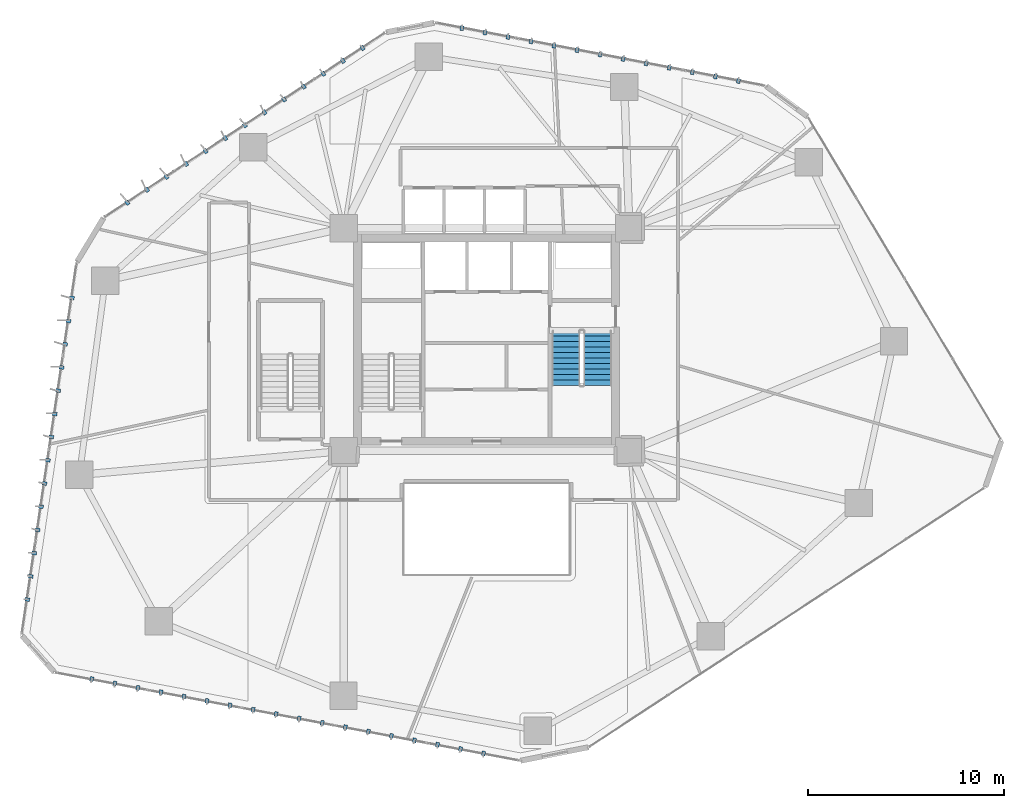
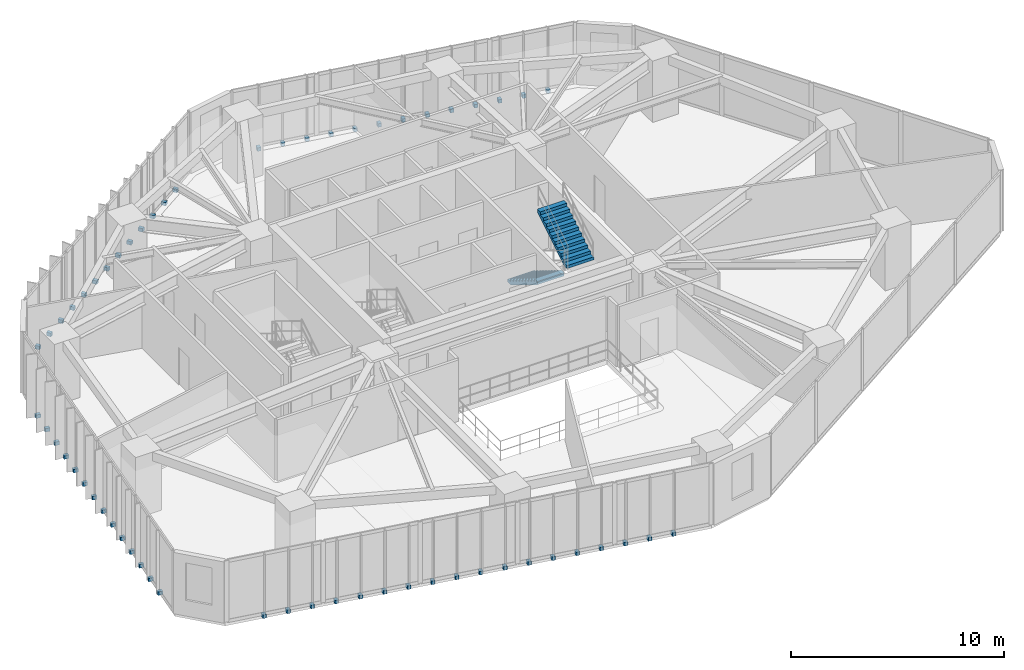
# One storey, part 18 of 20: 58 discrete accessories, 2 stair flights, 1 element without a shape of its own.
"""IFC4 building model written with IfcOpenShell, lengths in metres."""

from ifc_helpers import new_model, si_unit, direction, frame, origin, origin_2d, place, context, subcontext, project, spatial, polyline, rectangle, outline, extrude, source, transform, mapped, material, layer, layer_set, type_object, type_shapes, element, aggregate, save


model = new_model("IFC4")

# Units and contexts
model_context = context("Model", 3, precision=1e-05, world=origin(), true_north=direction((0.0, 1.0)))
body_context = subcontext(model_context, "Body", "Model", "MODEL_VIEW")
ifc_project = project(units=[si_unit("LENGTHUNIT", "METRE"), si_unit("AREAUNIT", "SQUARE_METRE"), si_unit("VOLUMEUNIT", "CUBIC_METRE"), si_unit("PLANEANGLEUNIT", "RADIAN"), si_unit("MASSUNIT", "GRAM", prefix="KILO")], contexts=[model_context])

# Site, building, storey
site_placement = place(None, origin())
site = spatial("IfcSite", under=ifc_project, at=site_placement, CompositionType="ELEMENT")
building_placement = place(site_placement, origin())
building = spatial("IfcBuilding", under=site, at=building_placement, Name="Talar Marvaseh", CompositionType="ELEMENT")
storey_placement = place(building_placement, frame((0.0, 0.0, 58.199951171875)))
storey = spatial("IfcBuildingStorey", under=building, at=storey_placement, Name="L14", CompositionType="ELEMENT", Elevation=58.199951171875)

# Stair, stair flights
ifc_material_1 = material(Name="Concrete C40/50", Category="concrete")
stair_type = type_object("IfcStairType", Name="Reinforced Concrete Half-Turn Exit Stair Type B", PredefinedType="HALF_TURN_STAIR", material=ifc_material_1)
stair_placement = place(storey_placement, origin())
stair = element("IfcStair", 1, at=stair_placement, inside=storey, type_object=stair_type, Name="L14 Tower East Core Exit Stair", PredefinedType="HALF_TURN_STAIR")
ifc_layer = layer(ifc_material_1, 0.159912109375)
ifc_layer_set = layer_set([ifc_layer], Name="Concrete C40/50")
stair_flight_type = type_object("IfcStairFlightType", Name="Reinforced Concrete Straight Stair Flight 160", PredefinedType="STRAIGHT", material=ifc_layer_set)
stair_flight_1_placement = place(storey_placement, frame((30.06494140625, 31.64990234375, 0.0), z_axis=(0.0, 0.0, 1.0), x_axis=(0.0, -1.0, 0.0)))
stair_flight_1 = element("IfcStairFlight", 2, at=stair_flight_1_placement, type_object=stair_flight_type, Name="ST-2 flight 1", NumberOfRisers=11, NumberOfTreads=10, PredefinedType="STRAIGHT", RiserHeight=0.172727273, TreadLength=0.28, context=body_context, shape_type="SweptSolid", body=[
    extrude(outline(polyline([(0.0, 0.0), (0.0, 0.172607421875), (0.280029296875, 0.172607421875), (0.280029296875, 0.345458984375), (0.56005859375, 0.345458984375), (0.56005859375, 0.51806640625), (0.840087890625, 0.51806640625), (0.840087890625, 0.69091796875), (1.1201171875, 0.69091796875), (1.1201171875, 0.863525390625), (1.39990234375, 0.863525390625), (1.39990234375, 1.036376953125), (1.679931640625, 1.036376953125), (1.679931640625, 1.208984375), (1.9599609375, 1.208984375), (1.9599609375, 1.3818359375), (2.239990234375, 1.3818359375), (2.239990234375, 1.554443359375), (2.52001953125, 1.554443359375), (2.52001953125, 1.727294921875), (2.800048828125, 1.727294921875), (2.800048828125, 1.89990234375), (2.800048828125, 1.539306640625), (0.3046875, 0.0), (0.0, 0.0)])), frame((0.0, 0.72509765625, 0.0), z_axis=(0.0, -1.0, 0.0), x_axis=(1.0, 0.0, 0.0)), (0.0, 0.0, 1.0), 1.449951171875),
])
stair_flight_2_placement = place(storey_placement, frame((31.675048828125, 28.85009765625, 1.900146484375), z_axis=(0.0, 0.0, 1.0), x_axis=(0.0, 1.0, 0.0)))
stair_flight_2 = element("IfcStairFlight", 3, at=stair_flight_2_placement, type_object=stair_flight_type, Name="ST-2 flight 2", NumberOfRisers=11, NumberOfTreads=10, PredefinedType="STRAIGHT", RiserHeight=0.172727273, TreadLength=0.28, context=body_context, shape_type="SweptSolid", body=[
    extrude(outline(polyline([(0.0, 0.0), (0.0, 0.172607421875), (0.280029296875, 0.172607421875), (0.280029296875, 0.345458984375), (0.56005859375, 0.345458984375), (0.56005859375, 0.51806640625), (0.840087890625, 0.51806640625), (0.840087890625, 0.69091796875), (1.1201171875, 0.69091796875), (1.1201171875, 0.863525390625), (1.39990234375, 0.863525390625), (1.39990234375, 1.036376953125), (1.679931640625, 1.036376953125), (1.679931640625, 1.208984375), (1.9599609375, 1.208984375), (1.9599609375, 1.3818359375), (2.239990234375, 1.3818359375), (2.239990234375, 1.554443359375), (2.52001953125, 1.554443359375), (2.52001953125, 1.727294921875), (2.800048828125, 1.727294921875), (2.800048828125, 1.89990234375), (2.800048828125, 1.539306640625), (0.3046875, 0.0), (0.0, 0.0)])), frame((0.0, 0.72509765625, 0.0), z_axis=(0.0, -1.0, 0.0), x_axis=(1.0, 0.0, 0.0)), (0.0, 0.0, 1.0), 1.449951171875),
])
aggregate(stair, [stair_flight_1, stair_flight_2])

# Discrete accessories
ifc_material_2 = material(Name="Stainless Steel Grade 316", Category="steel")
discrete_accessory_type = type_object("IfcDiscreteAccessoryType", Name="Stainless Slab-Edge Fin Mounting Bracket", PredefinedType="BRACKET", material=ifc_material_2)
shared_shape = source(origin(), body_context, "Body", "SweptSolid", [
    extrude(rectangle(XDim=0.239990234375, YDim=0.179931640625, at=origin_2d()), origin(), (0.0, 0.0, 1.0), 0.199951171875),
])
type_shapes(discrete_accessory_type, [shared_shape])
for number, where, z_axis, x_axis, name in (
    (4, (2.51025390625, 17.90087890625, -0.1796875), (0.0, 0.0, 1.0), (-0.989272332963, 0.146083028562, 0.0), "L14 Vertical Fin Slab-Edge Bracket"),
    (5, (2.685546875, 19.087890625, -0.1796875), (0.0, 0.0, 1.0), (-0.989272332963, 0.146083028562, 0.0), "L14 Vertical Fin Slab-Edge Bracket"),
    (6, (2.861083984375, 20.27490234375, -0.1796875), (0.0, 0.0, 1.0), (-0.989272332963, 0.146083028562, 0.0), "L14 Vertical Fin Slab-Edge Bracket"),
    (7, (3.036376953125, 21.462158203125, -0.1796875), (0.0, 0.0, 1.0), (-0.989272332963, 0.146083028562, 0.0), "L14 Vertical Fin Slab-Edge Bracket"),
    (8, (3.2119140625, 22.6494140625, -0.1796875), (0.0, 0.0, 1.0), (-0.989272332963, 0.146083028562, 0.0), "L14 Vertical Fin Slab-Edge Bracket"),
    (9, (3.38720703125, 23.83642578125, -0.1796875), (0.0, 0.0, 1.0), (-0.989272332963, 0.146083028562, 0.0), "L14 Vertical Fin Slab-Edge Bracket"),
    (10, (3.5625, 25.0234375, -0.1796875), (0.0, 0.0, 1.0), (-0.989272332963, 0.146083028562, 0.0), "L14 Vertical Fin Slab-Edge Bracket"),
    (11, (3.73779296875, 26.210693359375, -0.1796875), (0.0, 0.0, 1.0), (-0.989272332963, 0.146083028562, 0.0), "L14 Vertical Fin Slab-Edge Bracket"),
    (12, (3.913330078125, 27.397705078125, -0.1796875), (0.0, 0.0, 1.0), (-0.989272332963, 0.146083028562, 0.0), "L14 Vertical Fin Slab-Edge Bracket"),
    (13, (4.088623046875, 28.584716796875, -0.1796875), (0.0, 0.0, 1.0), (-0.989272332963, 0.146083028562, 0.0), "L14 Vertical Fin Slab-Edge Bracket"),
    (14, (4.26416015625, 29.77197265625, -0.1796875), (0.0, 0.0, 1.0), (-0.989272332963, 0.146083028562, 0.0), "L14 Vertical Fin Slab-Edge Bracket"),
    (15, (4.439453125, 30.958984375, -0.1796875), (0.0, 0.0, 1.0), (-0.989272332963, 0.146083028562, 0.0), "L14 Vertical Fin Slab-Edge Bracket"),
    (16, (4.61474609375, 32.146240234375, -0.1796875), (0.0, 0.0, 1.0), (-0.989272332963, 0.146083028562, 0.0), "L14 Vertical Fin Slab-Edge Bracket"),
    (17, (4.790283203125, 33.333251953125, -0.1796875), (0.0, 0.0, 1.0), (-0.989272332963, 0.146083028562, 0.0), "L14 Vertical Fin Slab-Edge Bracket"),
    (18, (7.621337890625, 38.2021484375, -0.1796875), (0.0, 0.0, 1.0), (-0.549314536351, 0.835615665335, 0.0), "L14 Vertical Fin Slab-Edge Bracket"),
    (19, (8.624267578125, 38.861328125, -0.1796875), (0.0, 0.0, 1.0), (-0.549314536351, 0.835615665335, 0.0), "L14 Vertical Fin Slab-Edge Bracket"),
    (20, (9.626953125, 39.5205078125, -0.1796875), (0.0, 0.0, 1.0), (-0.549314536351, 0.835615665335, 0.0), "L14 Vertical Fin Slab-Edge Bracket"),
    (21, (10.629638671875, 40.1796875, -0.1796875), (0.0, 0.0, 1.0), (-0.549314536351, 0.835615665335, 0.0), "L14 Vertical Fin Slab-Edge Bracket"),
    (22, (11.632568359375, 40.838623046875, -0.1796875), (0.0, 0.0, 1.0), (-0.549314536351, 0.835615665335, 0.0), "L14 Vertical Fin Slab-Edge Bracket"),
    (23, (12.63525390625, 41.497802734375, -0.1796875), (0.0, 0.0, 1.0), (-0.549314536351, 0.835615665335, 0.0), "L14 Vertical Fin Slab-Edge Bracket"),
    (24, (13.637939453125, 42.156982421875, -0.1796875), (0.0, 0.0, 1.0), (-0.549314536351, 0.835615665335, 0.0), "L14 Vertical Fin Slab-Edge Bracket"),
    (25, (14.640625, 42.816162109375, -0.1796875), (0.0, 0.0, 1.0), (-0.549314536351, 0.835615665335, 0.0), "L14 Vertical Fin Slab-Edge Bracket"),
    (26, (15.6435546875, 43.475341796875, -0.1796875), (0.0, 0.0, 1.0), (-0.549314536351, 0.835615665335, 0.0), "L14 Vertical Fin Slab-Edge Bracket"),
    (27, (16.646240234375, 44.134521484375, -0.1796875), (0.0, 0.0, 1.0), (-0.549314536351, 0.835615665335, 0.0), "L14 Vertical Fin Slab-Edge Bracket"),
    (28, (17.64892578125, 44.793701171875, -0.1796875), (0.0, 0.0, 1.0), (-0.549314536351, 0.835615665335, 0.0), "L14 Vertical Fin Slab-Edge Bracket"),
    (29, (18.65185546875, 45.45263671875, -0.1796875), (0.0, 0.0, 1.0), (-0.549314536351, 0.835615665335, 0.0), "L14 Vertical Fin Slab-Edge Bracket"),
    (30, (19.654541015625, 46.11181640625, -0.1796875), (0.0, 0.0, 1.0), (-0.549314536351, 0.835615665335, 0.0), "L14 Vertical Fin Slab-Edge Bracket"),
    (31, (24.739990234375, 47.123291015625, -0.1796875), (0.0, 0.0, 1.0), (0.187724186097, 0.982221782468, 0.0), "L14 Vertical Fin Slab-Edge Bracket"),
    (32, (25.918701171875, 46.898193359375, -0.1796875), (0.0, 0.0, 1.0), (0.187724186097, 0.982221782468, 0.0), "L14 Vertical Fin Slab-Edge Bracket"),
    (33, (27.097412109375, 46.6728515625, -0.1796875), (0.0, 0.0, 1.0), (0.187724186097, 0.982221782468, 0.0), "L14 Vertical Fin Slab-Edge Bracket"),
    (34, (28.27587890625, 46.44775390625, -0.1796875), (0.0, 0.0, 1.0), (0.187724186097, 0.982221782468, 0.0), "L14 Vertical Fin Slab-Edge Bracket"),
    (35, (29.45458984375, 46.222412109375, -0.1796875), (0.0, 0.0, 1.0), (0.187724186097, 0.982221782468, 0.0), "L14 Vertical Fin Slab-Edge Bracket"),
    (36, (30.63330078125, 45.997314453125, -0.1796875), (0.0, 0.0, 1.0), (0.187724186097, 0.982221782468, 0.0), "L14 Vertical Fin Slab-Edge Bracket"),
    (37, (31.81201171875, 45.77197265625, -0.1796875), (0.0, 0.0, 1.0), (0.187724186097, 0.982221782468, 0.0), "L14 Vertical Fin Slab-Edge Bracket"),
    (38, (32.99072265625, 45.546875, -0.1796875), (0.0, 0.0, 1.0), (0.187724186097, 0.982221782468, 0.0), "L14 Vertical Fin Slab-Edge Bracket"),
    (39, (34.16943359375, 45.321533203125, -0.1796875), (0.0, 0.0, 1.0), (0.187724186097, 0.982221782468, 0.0), "L14 Vertical Fin Slab-Edge Bracket"),
    (40, (35.347900390625, 45.096435546875, -0.1796875), (0.0, 0.0, 1.0), (0.187724186097, 0.982221782468, 0.0), "L14 Vertical Fin Slab-Edge Bracket"),
    (41, (36.526611328125, 44.87109375, -0.1796875), (0.0, 0.0, 1.0), (0.187724186097, 0.982221782468, 0.0), "L14 Vertical Fin Slab-Edge Bracket"),
    (42, (37.705322265625, 44.64599609375, -0.1796875), (0.0, 0.0, 1.0), (0.187724186097, 0.982221782468, 0.0), "L14 Vertical Fin Slab-Edge Bracket"),
    (43, (38.884033203125, 44.420654296875, -0.1796875), (0.0, 0.0, 1.0), (0.187724186097, 0.982221782468, 0.0), "L14 Vertical Fin Slab-Edge Bracket"),
    (44, (25.848388671875, 10.028076171875, -0.1796875), (0.0, 0.0, 1.0), (-0.186352563227, -0.982482937347, 0.0), "L14 Vertical Fin Slab-Edge Bracket"),
    (45, (24.669677734375, 10.251708984375, -0.1796875), (0.0, 0.0, 1.0), (-0.186352563227, -0.982482937347, 0.0), "L14 Vertical Fin Slab-Edge Bracket"),
    (46, (23.490478515625, 10.475341796875, -0.1796875), (0.0, 0.0, 1.0), (-0.186352563227, -0.982482937347, 0.0), "L14 Vertical Fin Slab-Edge Bracket"),
    (47, (22.3115234375, 10.698974609375, -0.1796875), (0.0, 0.0, 1.0), (-0.186352563227, -0.982482937347, 0.0), "L14 Vertical Fin Slab-Edge Bracket"),
    (48, (21.132568359375, 10.922607421875, -0.1796875), (0.0, 0.0, 1.0), (-0.186352563227, -0.982482937347, 0.0), "L14 Vertical Fin Slab-Edge Bracket"),
    (49, (19.95361328125, 11.146240234375, -0.1796875), (0.0, 0.0, 1.0), (-0.186352563227, -0.982482937347, 0.0), "L14 Vertical Fin Slab-Edge Bracket"),
    (50, (18.774658203125, 11.3701171875, -0.1796875), (0.0, 0.0, 1.0), (-0.186352563227, -0.982482937347, 0.0), "L14 Vertical Fin Slab-Edge Bracket"),
    (51, (17.595703125, 11.593505859375, -0.1796875), (0.0, 0.0, 1.0), (-0.186352563227, -0.982482937347, 0.0), "L14 Vertical Fin Slab-Edge Bracket"),
    (52, (16.416748046875, 11.8173828125, -0.1796875), (0.0, 0.0, 1.0), (-0.186352563227, -0.982482937347, 0.0), "L14 Vertical Fin Slab-Edge Bracket"),
    (53, (15.23779296875, 12.041015625, -0.1796875), (0.0, 0.0, 1.0), (-0.186352563227, -0.982482937347, 0.0), "L14 Vertical Fin Slab-Edge Bracket"),
    (54, (14.058837890625, 12.2646484375, -0.1796875), (0.0, 0.0, 1.0), (-0.186352563227, -0.982482937347, 0.0), "L14 Vertical Fin Slab-Edge Bracket"),
    (55, (12.8798828125, 12.48828125, -0.1796875), (0.0, 0.0, 1.0), (-0.186352563227, -0.982482937347, 0.0), "L14 Vertical Fin Slab-Edge Bracket"),
    (56, (11.70068359375, 12.7119140625, -0.1796875), (0.0, 0.0, 1.0), (-0.186352563227, -0.982482937347, 0.0), "L14 Vertical Fin Slab-Edge Bracket"),
    (57, (10.52197265625, 12.935546875, -0.1796875), (0.0, 0.0, 1.0), (-0.186352563227, -0.982482937347, 0.0), "L14 Vertical Fin Slab-Edge Bracket"),
    (58, (9.343017578125, 13.1591796875, -0.1796875), (0.0, 0.0, 1.0), (-0.186352563227, -0.982482937347, 0.0), "L14 Vertical Fin Slab-Edge Bracket"),
    (59, (8.163818359375, 13.3828125, -0.1796875), (0.0, 0.0, 1.0), (-0.186352563227, -0.982482937347, 0.0), "L14 Vertical Fin Slab-Edge Bracket"),
    (60, (6.98486328125, 13.6064453125, -0.1796875), (0.0, 0.0, 1.0), (-0.186352563227, -0.982482937347, 0.0), "L14 Vertical Fin Slab-Edge Bracket"),
    (61, (5.805908203125, 13.830078125, -0.1796875), (0.0, 0.0, 1.0), (-0.186352563227, -0.982482937347, 0.0), "L14 Vertical Fin Slab-Edge Bracket"),
):
    element("IfcDiscreteAccessory", number, at=place(storey_placement, frame(where, z_axis=z_axis, x_axis=x_axis)), inside=storey, type_object=discrete_accessory_type, Name=name, PredefinedType="BRACKET", context=body_context, shape_type="MappedRepresentation", body=[
        mapped(shared_shape, transform((0.0, 0.0, 0.0), x_axis=(1.0, 0.0, 0.0), y_axis=(0.0, 1.0, 0.0), z_axis=(0.0, 0.0, 1.0), scale=1.0)),
    ])

save(model, "model.ifc")
